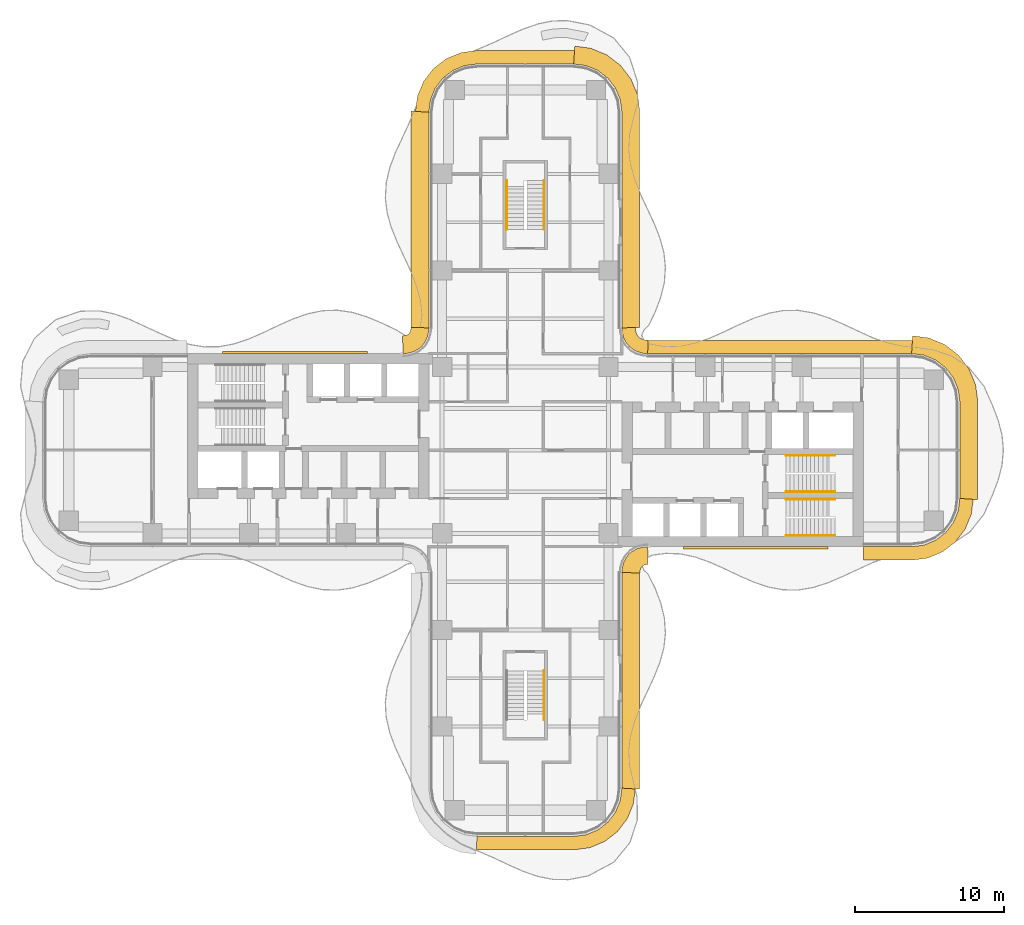
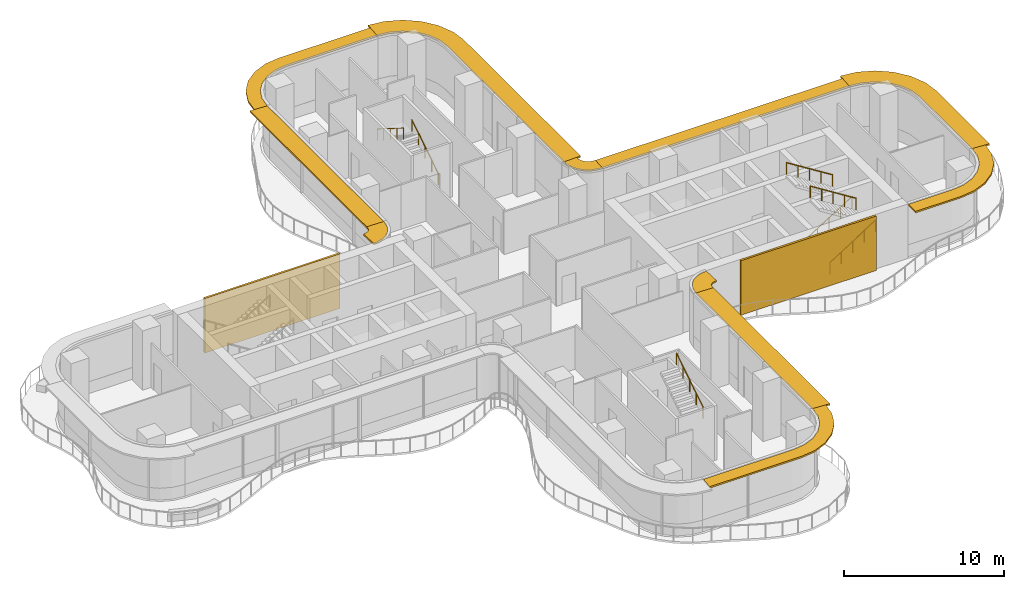
# One storey, part 20 of 20: 11 shading devices, 7 railings, 2 coverings.
"""IFC4 building model written with IfcOpenShell, lengths in metres."""

from ifc_helpers import new_model, si_unit, direction, frame, origin, origin_2d, place, context, subcontext, project, spatial, polyline, circle, outline, extrude, source, transform, mapped, material, layer, layer_set, type_object, element, save


model = new_model("IFC4")

# Units and contexts
model_context = context("Model", 3, precision=1e-05, world=origin(), true_north=direction((0.0, 1.0)))
body_context = subcontext(model_context, "Body", "Model", "MODEL_VIEW")
ifc_project = project(units=[si_unit("LENGTHUNIT", "METRE"), si_unit("AREAUNIT", "SQUARE_METRE"), si_unit("VOLUMEUNIT", "CUBIC_METRE"), si_unit("PLANEANGLEUNIT", "RADIAN"), si_unit("MASSUNIT", "GRAM", prefix="KILO")], contexts=[model_context])

# Site, building, storey
site_placement = place(None, origin())
site = spatial("IfcSite", under=ifc_project, at=site_placement, CompositionType="ELEMENT")
building_placement = place(site_placement, origin())
building = spatial("IfcBuilding", under=site, at=building_placement, Name="Trellis Farm Tower", CompositionType="ELEMENT")
storey_placement = place(building_placement, frame((0.0, 0.0, 151.5)))
storey = spatial("IfcBuildingStorey", under=building, at=storey_placement, Name="L32", CompositionType="ELEMENT", Elevation=151.5)

# Coverings
ifc_material_1 = material(Name="Perforated precast screen (cobogo)", Category="concrete")
ifc_layer_1 = layer(ifc_material_1, 0.14990234375)
ifc_layer_set_1 = layer_set([ifc_layer_1], Name="COBOGO SCREEN PANEL")
covering_type = type_object("IfcCoveringType", Name="COBOGO SCREEN PANEL", PredefinedType="USERDEFINED", material=ifc_layer_set_1)
placement_1 = place(storey_placement, origin())
element("IfcCovering", 1, at=placement_1, inside=storey, type_object=covering_type, Name="SC1 01", ObjectType="SCREEN", PredefinedType="USERDEFINED", context=body_context, shape_type="SweptSolid", body=[
    extrude(outline(polyline([(10.630615234375, -6.64990234375), (20.380615234375, -6.64990234375), (20.380615234375, -6.5), (10.630615234375, -6.5), (10.630615234375, -6.64990234375)])), origin(), (0.0, 0.0, 1.0), 4.14990234375),
])
element("IfcCovering", 2, at=placement_1, inside=storey, type_object=covering_type, Name="SC1 02", ObjectType="SCREEN", PredefinedType="USERDEFINED", context=body_context, shape_type="SweptSolid", body=[
    extrude(outline(polyline([(-10.630615234375, 6.64990234375), (-20.380615234375, 6.64990234375), (-20.380615234375, 6.5), (-10.630615234375, 6.5), (-10.630615234375, 6.64990234375)])), origin(), (0.0, 0.0, 1.0), 4.14990234375),
])

# Railings
ifc_material_2 = material(Name="Stainless steel", Category="steel")
railing_type = type_object("IfcRailingType", Name="STAIR HANDRAIL 900", PredefinedType="HANDRAIL", material=ifc_material_2)
shared_shape_1 = source(origin(), body_context, "Body", "SweptSolid", [
    extrude(circle(Radius=0.02392578125, at=origin_2d()), frame((0.0, 0.0, 0.8759765625), z_axis=(0.0, 0.846319618018, 0.532675421018), x_axis=(-1.0, 0.0, 0.0)), (0.0, 0.0, 1.0), 3.89892578125),
    extrude(circle(Radius=0.02099609375, at=origin_2d()), origin(), (0.0, 0.0, 1.0), 0.851806640625),
    extrude(circle(Radius=0.02099609375, at=origin_2d()), frame((0.0, 0.824951171875, 0.519287109375)), (0.0, 0.0, 1.0), 0.851806640625),
    extrude(circle(Radius=0.02099609375, at=origin_2d()), frame((0.0, 1.64990234375, 1.03857421875)), (0.0, 0.0, 1.0), 0.851806640625),
    extrude(circle(Radius=0.02099609375, at=origin_2d()), frame((0.0, 2.474853515625, 1.5576171875)), (0.0, 0.0, 1.0), 0.851806640625),
    extrude(circle(Radius=0.02099609375, at=origin_2d()), frame((0.0, 3.2998046875, 2.076904296875)), (0.0, 0.0, 1.0), 0.851806640625),
])
for number, where, name in (
    (3, (1.25, 14.85009765625, 0.173095703125), "Stair handrail"),
    (4, (1.25, -18.14990234375, 2.423095703125), "Stair handrail"),
):
    element("IfcRailing", number, at=place(storey_placement, frame(where)), inside=storey, type_object=railing_type, Name=name, PredefinedType="HANDRAIL", context=body_context, shape_type="MappedRepresentation", body=[
        mapped(shared_shape_1, transform((0.0, 0.0, 0.0))),
    ])
shared_shape_2 = source(origin(), body_context, "Body", "SweptSolid", [
    extrude(circle(Radius=0.02392578125, at=origin_2d()), frame((0.0, 0.0, 0.8759765625), z_axis=(0.0, -0.846319618018, 0.532675421018), x_axis=(1.0, 0.0, 0.0)), (0.0, 0.0, 1.0), 3.89892578125),
    extrude(circle(Radius=0.02099609375, at=origin_2d()), origin(), (0.0, 0.0, 1.0), 0.851806640625),
    extrude(circle(Radius=0.02099609375, at=origin_2d()), frame((0.0, -0.824951171875, 0.519287109375)), (0.0, 0.0, 1.0), 0.851806640625),
    extrude(circle(Radius=0.02099609375, at=origin_2d()), frame((0.0, -1.64990234375, 1.03857421875)), (0.0, 0.0, 1.0), 0.851806640625),
    extrude(circle(Radius=0.02099609375, at=origin_2d()), frame((0.0, -2.474853515625, 1.5576171875)), (0.0, 0.0, 1.0), 0.851806640625),
    extrude(circle(Radius=0.02099609375, at=origin_2d()), frame((0.0, -3.2998046875, 2.076904296875)), (0.0, 0.0, 1.0), 0.851806640625),
])
railing_placement = place(storey_placement, frame((-1.25, 18.14990234375, 2.423095703125)))
element("IfcRailing", 5, at=railing_placement, inside=storey, type_object=railing_type, Name="Stair handrail", PredefinedType="HANDRAIL", context=body_context, shape_type="MappedRepresentation", body=[
    mapped(shared_shape_2, transform((0.0, 0.0, 0.0))),
])
shared_shape_3 = source(origin(), body_context, "Body", "SweptSolid", [
    extrude(circle(Radius=0.02392578125, at=origin_2d()), frame((0.0, 0.0, 0.8759765625), z_axis=(0.846337383501, 0.0, 0.532647194011), x_axis=(0.0, 1.0, 0.0)), (0.0, 0.0, 1.0), 3.899169921875),
    extrude(circle(Radius=0.02099609375, at=origin_2d()), origin(), (0.0, 0.0, 1.0), 0.851806640625),
    extrude(circle(Radius=0.02099609375, at=origin_2d()), frame((0.824951171875, 0.0, 0.519287109375)), (0.0, 0.0, 1.0), 0.851806640625),
    extrude(circle(Radius=0.02099609375, at=origin_2d()), frame((1.64990234375, 0.0, 1.03857421875)), (0.0, 0.0, 1.0), 0.851806640625),
    extrude(circle(Radius=0.02099609375, at=origin_2d()), frame((2.47509765625, 0.0, 1.5576171875)), (0.0, 0.0, 1.0), 0.851806640625),
    extrude(circle(Radius=0.02099609375, at=origin_2d()), frame((3.300048828125, 0.0, 2.076904296875)), (0.0, 0.0, 1.0), 0.851806640625),
])
for number, where, name in (
    (6, (17.550048828125, -5.75, 0.173095703125), "Stair handrail"),
    (7, (17.550048828125, -2.800048828125, 0.173095703125), "Stair handrail"),
):
    element("IfcRailing", number, at=place(storey_placement, frame(where)), inside=storey, type_object=railing_type, Name=name, PredefinedType="HANDRAIL", context=body_context, shape_type="MappedRepresentation", body=[
        mapped(shared_shape_3, transform((0.0, 0.0, 0.0))),
    ])
shared_shape_4 = source(origin(), body_context, "Body", "SweptSolid", [
    extrude(circle(Radius=0.02392578125, at=origin_2d()), frame((0.0, 0.0, 0.8759765625), z_axis=(-0.846337383501, 0.0, 0.532647194011), x_axis=(0.0, -1.0, 0.0)), (0.0, 0.0, 1.0), 3.899169921875),
    extrude(circle(Radius=0.02099609375, at=origin_2d()), origin(), (0.0, 0.0, 1.0), 0.851806640625),
    extrude(circle(Radius=0.02099609375, at=origin_2d()), frame((-0.824951171875, 0.0, 0.519287109375)), (0.0, 0.0, 1.0), 0.851806640625),
    extrude(circle(Radius=0.02099609375, at=origin_2d()), frame((-1.64990234375, 0.0, 1.03857421875)), (0.0, 0.0, 1.0), 0.851806640625),
    extrude(circle(Radius=0.02099609375, at=origin_2d()), frame((-2.47509765625, 0.0, 1.5576171875)), (0.0, 0.0, 1.0), 0.851806640625),
    extrude(circle(Radius=0.02099609375, at=origin_2d()), frame((-3.300048828125, 0.0, 2.076904296875)), (0.0, 0.0, 1.0), 0.851806640625),
])
for number, where, name in (
    (8, (20.85009765625, -3.300048828125, 2.423095703125), "Stair handrail"),
    (9, (20.85009765625, -0.35009765625, 2.423095703125), "Stair handrail"),
):
    element("IfcRailing", number, at=place(storey_placement, frame(where)), inside=storey, type_object=railing_type, Name=name, PredefinedType="HANDRAIL", context=body_context, shape_type="MappedRepresentation", body=[
        mapped(shared_shape_4, transform((0.0, 0.0, 0.0))),
    ])

# Shading devices
ifc_material_3 = material(Name="Aluminium extrusion 6063-T6", Category="aluminium")
ifc_layer_2 = layer(ifc_material_3, 0.1201171875)
ifc_layer_set_2 = layer_set([ifc_layer_2], Name="SUNSHADE BLADE 900")
shading_device_type_1 = type_object("IfcShadingDeviceType", Name="SUNSHADE BLADE 900", PredefinedType="USERDEFINED", material=ifc_layer_set_2)
shared_shape_5 = source(origin(), body_context, "Body", "SweptSolid", [
    extrude(outline(polyline([(-3.30908203125, -26.89990234375), (3.30908203125, -26.89990234375), (4.326171875, -26.76611328125), (5.328857421875, -26.350830078125), (6.18994140625, -25.68994140625), (6.850830078125, -24.828857421875), (7.26611328125, -23.826171875), (7.39990234375, -22.80908203125), (6.5, -22.75), (6.38916015625, -23.591064453125), (6.064697265625, -24.375), (5.548095703125, -25.048095703125), (4.875, -25.564697265625), (4.091064453125, -25.88916015625), (3.25, -26.0), (-3.25, -26.0), (-3.30908203125, -26.89990234375)])), origin(), (0.0, 0.0, 1.0), 0.1201171875),
])
placement_2 = place(storey_placement, frame((0.0, 0.0, 3.989990234375)))
element("IfcShadingDevice", 10, at=placement_2, inside=storey, type_object=shading_device_type_1, Name="SD1 004", ObjectType="SUNSHADE", PredefinedType="USERDEFINED", context=body_context, shape_type="MappedRepresentation", body=[
    mapped(shared_shape_5, transform((0.0, 0.0, 0.0))),
])
ifc_layer_3 = layer(ifc_material_3, 0.1201171875)
ifc_layer_set_3 = layer_set([ifc_layer_3], Name="SUNSHADE BLADE 1200")
shading_device_type_2 = type_object("IfcShadingDeviceType", Name="SUNSHADE BLADE 1200", PredefinedType="USERDEFINED", material=ifc_layer_set_3)
shared_shape_6 = source(origin(), body_context, "Body", "SweptSolid", [
    extrude(outline(polyline([(7.699951171875, -22.82861328125), (7.699951171875, -8.270751953125), (6.5, -8.2314453125), (6.5, -22.75), (7.699951171875, -22.82861328125)])), origin(), (0.0, 0.0, 1.0), 0.1201171875),
])
element("IfcShadingDevice", 11, at=placement_2, inside=storey, type_object=shading_device_type_2, Name="SD2 005", ObjectType="SUNSHADE", PredefinedType="USERDEFINED", context=body_context, shape_type="MappedRepresentation", body=[
    mapped(shared_shape_6, transform((0.0, 0.0, 0.0))),
])
shared_shape_7 = source(origin(), body_context, "Body", "SweptSolid", [
    extrude(outline(polyline([(7.699951171875, -8.270751953125), (7.708740234375, -8.13720703125), (7.70703125, -8.150146484375), (7.7548828125, -7.9716796875), (7.80712890625, -7.881103515625), (7.881103515625, -7.80712890625), (7.9716796875, -7.7548828125), (8.150146484375, -7.70703125), (8.13720703125, -7.708740234375), (8.270751953125, -7.699951171875), (8.2314453125, -6.5), (8.01953125, -6.513916015625), (7.91552734375, -6.527587890625), (7.508544921875, -6.63671875), (7.144287109375, -6.846923828125), (6.846923828125, -7.144287109375), (6.63671875, -7.508544921875), (6.527587890625, -7.91552734375), (6.513916015625, -8.01953125), (6.5, -8.2314453125), (7.699951171875, -8.270751953125)])), origin(), (0.0, 0.0, 1.0), 0.1201171875),
])
element("IfcShadingDevice", 12, at=placement_2, inside=storey, type_object=shading_device_type_2, Name="SD2 006", ObjectType="SUNSHADE", PredefinedType="USERDEFINED", context=body_context, shape_type="MappedRepresentation", body=[
    mapped(shared_shape_7, transform((0.0, 0.0, 0.0))),
])
shared_shape_8 = source(origin(), body_context, "Body", "SweptSolid", [
    extrude(outline(polyline([(22.780029296875, -7.39990234375), (26.05908203125, -7.39990234375), (27.076171875, -7.26611328125), (28.078857421875, -6.850830078125), (28.93994140625, -6.18994140625), (29.600830078125, -5.328857421875), (30.01611328125, -4.326171875), (30.14990234375, -3.30908203125), (29.25, -3.25), (29.13916015625, -4.091064453125), (28.814697265625, -4.875), (28.298095703125, -5.548095703125), (27.625, -6.064697265625), (26.841064453125, -6.38916015625), (26.0, -6.5), (22.780029296875, -6.5), (22.780029296875, -7.39990234375)])), origin(), (0.0, 0.0, 1.0), 0.1201171875),
])
element("IfcShadingDevice", 13, at=placement_2, inside=storey, type_object=shading_device_type_1, Name="SD1 007", ObjectType="SUNSHADE", PredefinedType="USERDEFINED", context=body_context, shape_type="MappedRepresentation", body=[
    mapped(shared_shape_8, transform((0.0, 0.0, 0.0))),
])
shared_shape_9 = source(origin(), body_context, "Body", "SweptSolid", [
    extrude(outline(polyline([(30.449951171875, -3.32861328125), (30.449951171875, 3.32861328125), (30.308349609375, 4.404541015625), (29.86279296875, 5.480224609375), (29.154052734375, 6.404052734375), (28.230224609375, 7.11279296875), (27.154541015625, 7.558349609375), (26.07861328125, 7.699951171875), (26.0, 6.5), (26.841064453125, 6.38916015625), (27.625, 6.064697265625), (28.298095703125, 5.548095703125), (28.814697265625, 4.875), (29.13916015625, 4.091064453125), (29.25, 3.25), (29.25, -3.25), (30.449951171875, -3.32861328125)])), origin(), (0.0, 0.0, 1.0), 0.1201171875),
])
element("IfcShadingDevice", 14, at=placement_2, inside=storey, type_object=shading_device_type_2, Name="SD2 008", ObjectType="SUNSHADE", PredefinedType="USERDEFINED", context=body_context, shape_type="MappedRepresentation", body=[
    mapped(shared_shape_9, transform((0.0, 0.0, 0.0))),
])
shared_shape_10 = source(origin(), body_context, "Body", "SweptSolid", [
    extrude(outline(polyline([(26.05908203125, 7.39990234375), (8.2607421875, 7.39990234375), (8.2314453125, 6.5), (26.0, 6.5), (26.05908203125, 7.39990234375)])), origin(), (0.0, 0.0, 1.0), 0.1201171875),
])
element("IfcShadingDevice", 15, at=placement_2, inside=storey, type_object=shading_device_type_1, Name="SD1 009", ObjectType="SUNSHADE", PredefinedType="USERDEFINED", context=body_context, shape_type="MappedRepresentation", body=[
    mapped(shared_shape_10, transform((0.0, 0.0, 0.0))),
])
shared_shape_11 = source(origin(), body_context, "Body", "SweptSolid", [
    extrude(outline(polyline([(8.2607421875, 7.39990234375), (8.107666015625, 7.409912109375), (8.091552734375, 7.412109375), (7.85595703125, 7.475341796875), (7.697021484375, 7.567138671875), (7.567138671875, 7.697021484375), (7.475341796875, 7.85595703125), (7.412109375, 8.091552734375), (7.409912109375, 8.107666015625), (7.39990234375, 8.2607421875), (6.5, 8.2314453125), (6.513916015625, 8.01953125), (6.527587890625, 7.91552734375), (6.63671875, 7.508544921875), (6.846923828125, 7.144287109375), (7.144287109375, 6.846923828125), (7.508544921875, 6.63671875), (7.91552734375, 6.527587890625), (8.01953125, 6.513916015625), (8.2314453125, 6.5), (8.2607421875, 7.39990234375)])), origin(), (0.0, 0.0, 1.0), 0.1201171875),
])
element("IfcShadingDevice", 16, at=placement_2, inside=storey, type_object=shading_device_type_1, Name="SD1 010", ObjectType="SUNSHADE", PredefinedType="USERDEFINED", context=body_context, shape_type="MappedRepresentation", body=[
    mapped(shared_shape_11, transform((0.0, 0.0, 0.0))),
])
shared_shape_12 = source(origin(), body_context, "Body", "SweptSolid", [
    extrude(outline(polyline([(7.699951171875, 8.270751953125), (7.699951171875, 22.82861328125), (7.558349609375, 23.904541015625), (7.11279296875, 24.980224609375), (6.404052734375, 25.904052734375), (5.480224609375, 26.61279296875), (4.404541015625, 27.058349609375), (3.32861328125, 27.199951171875), (3.25, 26.0), (4.091064453125, 25.88916015625), (4.875, 25.564697265625), (5.548095703125, 25.048095703125), (6.064697265625, 24.375), (6.38916015625, 23.591064453125), (6.5, 22.75), (6.5, 8.2314453125), (7.699951171875, 8.270751953125)])), origin(), (0.0, 0.0, 1.0), 0.1201171875),
])
element("IfcShadingDevice", 17, at=placement_2, inside=storey, type_object=shading_device_type_2, Name="SD2 011", ObjectType="SUNSHADE", PredefinedType="USERDEFINED", context=body_context, shape_type="MappedRepresentation", body=[
    mapped(shared_shape_12, transform((0.0, 0.0, 0.0))),
])
shared_shape_13 = source(origin(), body_context, "Body", "SweptSolid", [
    extrude(outline(polyline([(3.30908203125, 26.89990234375), (-3.30908203125, 26.89990234375), (-4.326171875, 26.76611328125), (-5.328857421875, 26.350830078125), (-6.18994140625, 25.68994140625), (-6.850830078125, 24.828857421875), (-7.26611328125, 23.826171875), (-7.39990234375, 22.80908203125), (-6.5, 22.75), (-6.38916015625, 23.591064453125), (-6.064697265625, 24.375), (-5.548095703125, 25.048095703125), (-4.875, 25.564697265625), (-4.091064453125, 25.88916015625), (-3.25, 26.0), (3.25, 26.0), (3.30908203125, 26.89990234375)])), origin(), (0.0, 0.0, 1.0), 0.1201171875),
])
element("IfcShadingDevice", 18, at=placement_2, inside=storey, type_object=shading_device_type_1, Name="SD1 012", ObjectType="SUNSHADE", PredefinedType="USERDEFINED", context=body_context, shape_type="MappedRepresentation", body=[
    mapped(shared_shape_13, transform((0.0, 0.0, 0.0))),
])
shared_shape_14 = source(origin(), body_context, "Body", "SweptSolid", [
    extrude(outline(polyline([(-7.699951171875, 22.82861328125), (-7.699951171875, 8.270751953125), (-6.5, 8.2314453125), (-6.5, 22.75), (-7.699951171875, 22.82861328125)])), origin(), (0.0, 0.0, 1.0), 0.1201171875),
])
element("IfcShadingDevice", 19, at=placement_2, inside=storey, type_object=shading_device_type_2, Name="SD2 013", ObjectType="SUNSHADE", PredefinedType="USERDEFINED", context=body_context, shape_type="MappedRepresentation", body=[
    mapped(shared_shape_14, transform((0.0, 0.0, 0.0))),
])
shared_shape_15 = source(origin(), body_context, "Body", "SweptSolid", [
    extrude(outline(polyline([(-7.699951171875, 8.270751953125), (-7.708740234375, 8.13720703125), (-7.70703125, 8.150146484375), (-7.7548828125, 7.9716796875), (-7.80712890625, 7.881103515625), (-7.881103515625, 7.80712890625), (-7.9716796875, 7.7548828125), (-8.150146484375, 7.70703125), (-8.13720703125, 7.708740234375), (-8.270751953125, 7.699951171875), (-8.2314453125, 6.5), (-8.01953125, 6.513916015625), (-7.91552734375, 6.527587890625), (-7.508544921875, 6.63671875), (-7.144287109375, 6.846923828125), (-6.846923828125, 7.144287109375), (-6.63671875, 7.508544921875), (-6.527587890625, 7.91552734375), (-6.513916015625, 8.01953125), (-6.5, 8.2314453125), (-7.699951171875, 8.270751953125)])), origin(), (0.0, 0.0, 1.0), 0.1201171875),
])
element("IfcShadingDevice", 20, at=placement_2, inside=storey, type_object=shading_device_type_2, Name="SD2 014", ObjectType="SUNSHADE", PredefinedType="USERDEFINED", context=body_context, shape_type="MappedRepresentation", body=[
    mapped(shared_shape_15, transform((0.0, 0.0, 0.0))),
])

save(model, "model.ifc")
